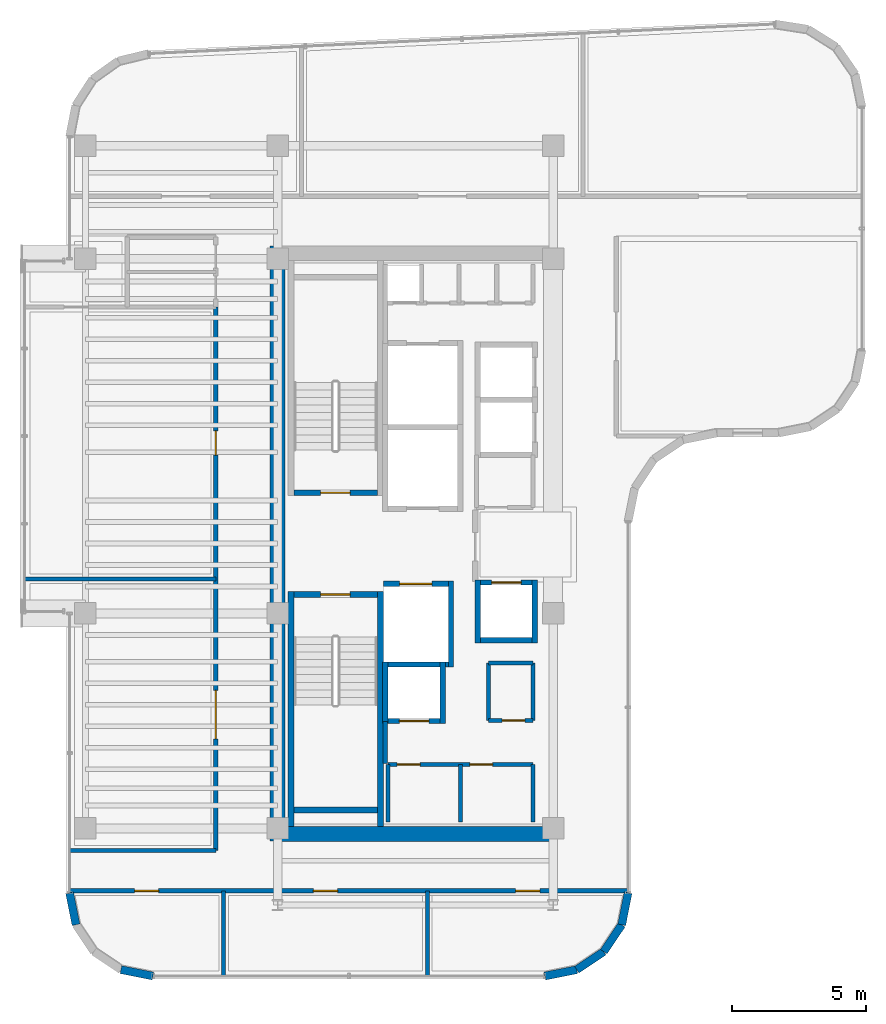
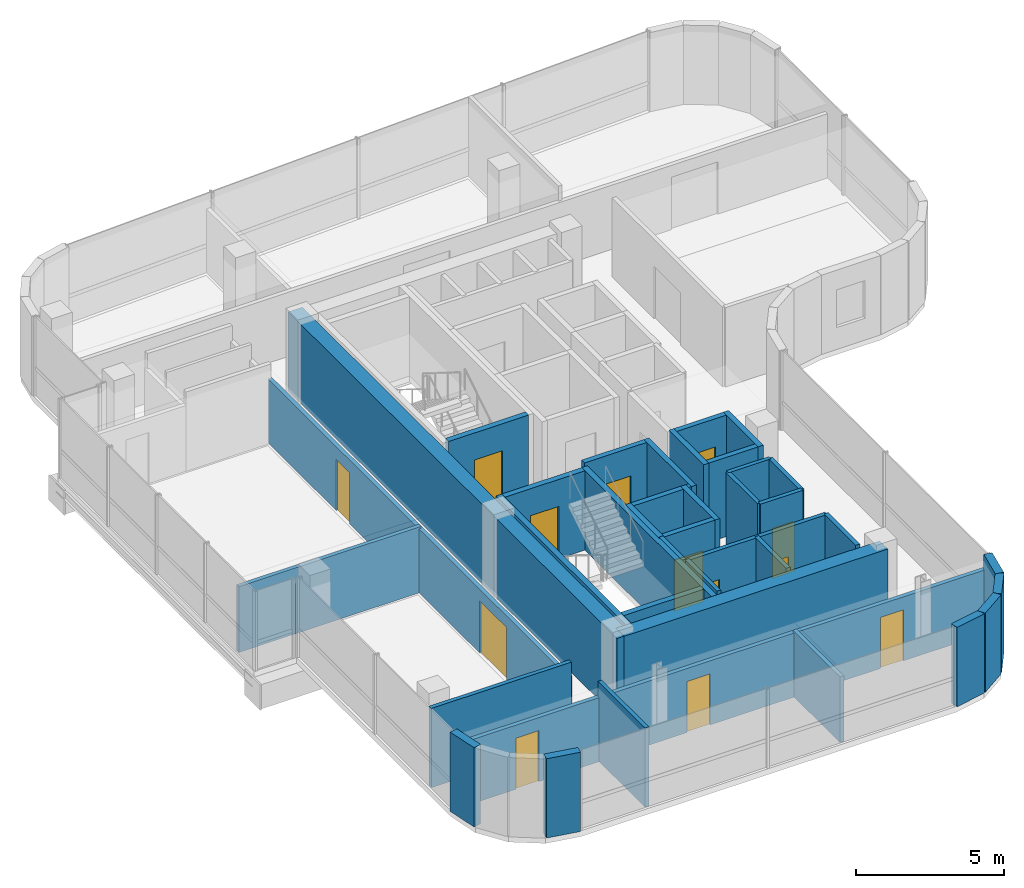
# One storey, part 14 of 18: 38 walls, 13 doors, 13 openings.
"""IFC4 building model written with IfcOpenShell, lengths in metres."""

from ifc_helpers import new_model, si_unit, direction, frame, frame_2d, origin, place, context, subcontext, project, spatial, rectangle, extrude, material, layer, layer_set, type_object, element, fill, save


model = new_model("IFC4")

# Units and contexts
model_context = context("Model", 3, precision=1e-05, world=origin(), true_north=direction((0.0, 1.0)))
body_context = subcontext(model_context, "Body", "Model", "MODEL_VIEW")
ifc_project = project(units=[si_unit("LENGTHUNIT", "METRE"), si_unit("AREAUNIT", "SQUARE_METRE"), si_unit("VOLUMEUNIT", "CUBIC_METRE"), si_unit("PLANEANGLEUNIT", "RADIAN"), si_unit("MASSUNIT", "GRAM", prefix="KILO")], contexts=[model_context])

# Site, building, storey
site_placement = place(None, origin())
site = spatial("IfcSite", under=ifc_project, at=site_placement, CompositionType="ELEMENT")
building_placement = place(site_placement, origin())
building = spatial("IfcBuilding", under=site, at=building_placement, Name="Valdorenza Pilgrim Sanctuary Tower", CompositionType="ELEMENT")
storey_placement = place(building_placement, frame((0.0, 0.0, 273.0)))
storey = spatial("IfcBuildingStorey", under=building, at=storey_placement, Name="L71", CompositionType="ELEMENT", Elevation=273.0)

# Wall
ifc_material_1 = material(Name="Acoustic twin-stud gypsum partition", Category="gypsum")
ifc_layer_1 = layer(ifc_material_1, 0.159912109375, Name="Acoustic twin-stud gypsum partition")
ifc_layer_set_1 = layer_set([ifc_layer_1], Name="Acoustic twin-stud gypsum partition")
wall_type_1 = type_object("IfcWallType", Name="WAL-COR-160", PredefinedType="PARTITIONING", material=ifc_layer_set_1)
wall_1_placement = place(storey_placement, frame((-18.64990234375, -8.179931640625, 0.0), z_axis=(0.0, 0.0, 1.0), x_axis=(0.0, 1.0, 0.0)))
element("IfcWall", 1, at=wall_1_placement, inside=storey, type_object=wall_type_1, Name="L71 Core A South Lift Hall West Wall", PredefinedType="PARTITIONING", context=body_context, shape_type="SweptSolid", body=[
    extrude(rectangle(XDim=1.559814453125, YDim=0.159912109375, at=frame_2d((0.77978515625, 0.0))), origin(), (0.0, 0.0, 1.0), 3.260009765625),
])

# Wall, openings, doors
wall_2_placement = place(storey_placement, frame((-18.550048828125, -8.219970703125, 0.0), z_axis=(0.0, 0.0, 1.0), x_axis=(1.0, 0.0, 0.0)))
wall_2 = element("IfcWall", 2, at=wall_2_placement, inside=storey, type_object=wall_type_1, Name="L71 Freed Shaft 1 North Wall", PredefinedType="PARTITIONING", context=body_context, shape_type="SweptSolid", body=[
    extrude(rectangle(XDim=5.400146484375, YDim=0.159912109375, at=frame_2d((2.7001953125, 0.0))), origin(), (0.0, 0.0, 1.0), 3.260009765625),
])
opening_1_placement = place(wall_2_placement, frame((0.35009765625, 0.0, 0.0)))
opening_1 = element("IfcOpeningElement", 3, at=opening_1_placement, cuts=wall_2, Name="Opening DR-RS1", PredefinedType="OPENING", context=body_context, shape_type="SweptSolid", body=[
    extrude(rectangle(XDim=0.85009765625, YDim=2.050048828125, at=frame_2d((0.425048828125, 1.02490234375))), frame((0.0, 0.0947265625, 0.0), z_axis=(0.0, -1.0, 0.0), x_axis=(1.0, 0.0, 0.0)), (0.0, 0.0, 1.0), 0.189697265625),
])
opening_2_placement = place(wall_2_placement, frame((3.050048828125, 0.0, 0.0)))
opening_2 = element("IfcOpeningElement", 4, at=opening_2_placement, cuts=wall_2, Name="Opening DR-RS1", PredefinedType="OPENING", context=body_context, shape_type="SweptSolid", body=[
    extrude(rectangle(XDim=0.85009765625, YDim=2.050048828125, at=frame_2d((0.425048828125, 1.02490234375))), frame((0.0, 0.0947265625, 0.0), z_axis=(0.0, -1.0, 0.0), x_axis=(1.0, 0.0, 0.0)), (0.0, 0.0, 1.0), 0.189697265625),
])
ifc_material_2 = material(Name="Painted galvanized steel", Category="steel")
door_type_1 = type_object("IfcDoorType", Name="DR-RSR-850", OperationType="NOTDEFINED", PredefinedType="DOOR", material=ifc_material_2)
door_1_placement = place(opening_1_placement, origin())
door_1 = element("IfcDoor", 5, at=door_1_placement, inside=storey, type_object=door_type_1, Name="L71 Linen Store Door", OperationType="SINGLE_SWING_LEFT", OverallHeight=2.050048828125, OverallWidth=0.85009765625, PredefinedType="DOOR", context=body_context, shape_type="SweptSolid", body=[
    extrude(rectangle(XDim=0.85009765625, YDim=2.050048828125, at=frame_2d((0.425048828125, 1.02490234375))), frame((0.0, 0.02490234375, 0.0), z_axis=(0.0, -1.0, 0.0), x_axis=(1.0, 0.0, 0.0)), (0.0, 0.0, 1.0), 0.050048828125),
])
fill(opening_1, door_1)
door_2_placement = place(opening_2_placement, origin())
door_2 = element("IfcDoor", 6, at=door_2_placement, inside=storey, type_object=door_type_1, Name="L71 Cot Store Door", OperationType="SINGLE_SWING_RIGHT", OverallHeight=2.050048828125, OverallWidth=0.85009765625, PredefinedType="DOOR", context=body_context, shape_type="SweptSolid", body=[
    extrude(rectangle(XDim=0.85009765625, YDim=2.050048828125, at=frame_2d((0.425048828125, 1.02490234375))), frame((0.0, 0.02490234375, 0.0), z_axis=(0.0, -1.0, 0.0), x_axis=(1.0, 0.0, 0.0)), (0.0, 0.0, 1.0), 0.050048828125),
])
fill(opening_2, door_2)

# Walls
for number, where, z_axis, x_axis, name in (
    (7, (-13.14990234375, -10.35009765625, 0.0), (0.0, 0.0, 1.0), (0.0, 1.0, 0.0), "L71 Freed Shaft 1 East Wall"),
    (8, (-15.85009765625, -10.35009765625, 0.0), (0.0, 0.0, 1.0), (0.0, 1.0, 0.0), "L71 Freed Shaft 1 Split Wall"),
):
    element("IfcWall", number, at=place(storey_placement, frame(where, z_axis=z_axis, x_axis=x_axis)), inside=storey, type_object=wall_type_1, Name=name, PredefinedType="PARTITIONING", context=body_context, shape_type="SweptSolid", body=[
        extrude(rectangle(XDim=2.130126953125, YDim=0.159912109375, at=frame_2d((1.06494140625, 0.0))), origin(), (0.0, 0.0, 1.0), 3.260009765625),
    ])

# Wall, opening, door
wall_3_placement = place(storey_placement, frame((-14.800048828125, -6.580078125, 0.0), z_axis=(0.0, 0.0, 1.0), x_axis=(1.0, 0.0, 0.0)))
wall_3 = element("IfcWall", 9, at=wall_3_placement, inside=storey, type_object=wall_type_1, Name="L71 Freed Shaft 2 South Wall", PredefinedType="PARTITIONING", context=body_context, shape_type="SweptSolid", body=[
    extrude(rectangle(XDim=1.650146484375, YDim=0.159912109375, at=frame_2d((0.8251953125, 0.0))), origin(), (0.0, 0.0, 1.0), 3.260009765625),
])
opening_3_placement = place(wall_3_placement, frame((0.5, 0.0, 0.0)))
opening_3 = element("IfcOpeningElement", 10, at=opening_3_placement, cuts=wall_3, Name="Opening DR-RS1", PredefinedType="OPENING", context=body_context, shape_type="SweptSolid", body=[
    extrude(rectangle(XDim=0.85009765625, YDim=2.050048828125, at=frame_2d((0.425048828125, 1.02490234375))), frame((0.0, 0.0947265625, 0.0), z_axis=(0.0, -1.0, 0.0), x_axis=(1.0, 0.0, 0.0)), (0.0, 0.0, 1.0), 0.189697265625),
])
door_3_placement = place(opening_3_placement, origin())
door_3 = element("IfcDoor", 11, at=door_3_placement, inside=storey, type_object=door_type_1, Name="L71 Guest Tea Pantry Door", OperationType="SINGLE_SWING_LEFT", OverallHeight=2.050048828125, OverallWidth=0.85009765625, PredefinedType="DOOR", context=body_context, shape_type="SweptSolid", body=[
    extrude(rectangle(XDim=0.85009765625, YDim=2.050048828125, at=frame_2d((0.425048828125, 1.02490234375))), frame((0.0, 0.02490234375, 0.0), z_axis=(0.0, -1.0, 0.0), x_axis=(1.0, 0.0, 0.0)), (0.0, 0.0, 1.0), 0.050048828125),
])
fill(opening_3, door_3)

# Wall
wall_4_placement = place(storey_placement, frame((-13.14990234375, -6.580078125, 0.0), z_axis=(0.0, 0.0, 1.0), x_axis=(0.0, 1.0, 0.0)))
element("IfcWall", 12, at=wall_4_placement, inside=storey, type_object=wall_type_1, Name="L71 Freed Shaft 2 East Wall", PredefinedType="PARTITIONING", context=body_context, shape_type="SweptSolid", body=[
    extrude(rectangle(XDim=2.130126953125, YDim=0.159912109375, at=frame_2d((1.06494140625, 0.0))), origin(), (0.0, 0.0, 1.0), 3.260009765625),
])

# Wall, openings, doors
wall_5_placement = place(storey_placement, frame((-24.949951171875, -11.419921875, 0.0), z_axis=(0.0, 0.0, 1.0), x_axis=(0.0, 1.0, 0.0)))
wall_5 = element("IfcWall", 13, at=wall_5_placement, inside=storey, type_object=wall_type_1, Name="L71 West Wing Corridor Wall", PredefinedType="PARTITIONING", context=body_context, shape_type="SweptSolid", body=[
    extrude(rectangle(XDim=20.219970703125, YDim=0.159912109375, at=frame_2d((10.10986328125, 0.0))), origin(), (0.0, 0.0, 1.0), 2.623046875),
])
opening_4_placement = place(wall_5_placement, frame((4.155029296875, 0.0, 0.0)))
opening_4 = element("IfcOpeningElement", 14, at=opening_4_placement, cuts=wall_5, Name="Opening DR-HL1", PredefinedType="OPENING", context=body_context, shape_type="SweptSolid", body=[
    extrude(rectangle(XDim=1.800048828125, YDim=2.14990234375, at=frame_2d((0.89990234375, 1.074951171875))), frame((0.0, 0.0947265625, 0.0), z_axis=(0.0, -1.0, 0.0), x_axis=(1.0, 0.0, 0.0)), (0.0, 0.0, 1.0), 0.189697265625),
])
opening_5_placement = place(wall_5_placement, frame((14.715087890625, 0.0, 0.0)))
opening_5 = element("IfcOpeningElement", 15, at=opening_5_placement, cuts=wall_5, Name="Opening DR-RM1", PredefinedType="OPENING", context=body_context, shape_type="SweptSolid", body=[
    extrude(rectangle(XDim=0.89990234375, YDim=2.10009765625, at=frame_2d((0.449951171875, 1.050048828125))), frame((0.0, 0.0947265625, 0.0), z_axis=(0.0, -1.0, 0.0), x_axis=(1.0, 0.0, 0.0)), (0.0, 0.0, 1.0), 0.189697265625),
])
ifc_material_3 = material(Name="Acoustic oak and vision-glass double door", Category="glass")
door_type_2 = type_object("IfcDoorType", Name="DR-HALL-1800", OperationType="NOTDEFINED", PredefinedType="DOOR", material=ifc_material_3)
door_4_placement = place(opening_4_placement, origin())
door_4 = element("IfcDoor", 16, at=door_4_placement, inside=storey, type_object=door_type_2, Name="L71 Sacred Art Exhibition Gallery L71-W1 Door", OperationType="DOUBLE_DOOR_SINGLE_SWING", OverallHeight=2.14990234375, OverallWidth=1.800048828125, PredefinedType="DOOR", context=body_context, shape_type="SweptSolid", body=[
    extrude(rectangle(XDim=1.800048828125, YDim=2.14990234375, at=frame_2d((0.89990234375, 1.074951171875))), frame((0.0, 0.02490234375, 0.0), z_axis=(0.0, -1.0, 0.0), x_axis=(1.0, 0.0, 0.0)), (0.0, 0.0, 1.0), 0.050048828125),
])
fill(opening_4, door_4)
ifc_material_4 = material(Name="Solid-core European oak timber", Category="wood")
door_type_3 = type_object("IfcDoorType", Name="DR-ROOM-900", OperationType="NOTDEFINED", PredefinedType="DOOR", material=ifc_material_4)
door_5_placement = place(opening_5_placement, frame((0.89990234375, 0.0, 0.0), z_axis=(0.0, 0.0, 1.0), x_axis=(-1.0, 0.0, 0.0)))
door_5 = element("IfcDoor", 17, at=door_5_placement, inside=storey, type_object=door_type_3, Name="L71 Sacred Manuscript Archive L71-W2 Door", OperationType="SINGLE_SWING_LEFT", OverallHeight=2.10009765625, OverallWidth=0.89990234375, PredefinedType="DOOR", context=body_context, shape_type="SweptSolid", body=[
    extrude(rectangle(XDim=0.89990234375, YDim=2.10009765625, at=frame_2d((0.449951171875, 1.050048828125))), frame((0.0, 0.02490234375, 0.0), z_axis=(0.0, -1.0, 0.0), x_axis=(1.0, 0.0, 0.0)), (0.0, 0.0, 1.0), 0.050048828125),
])
fill(opening_5, door_5)

wall_6_placement = place(storey_placement, frame((-30.389892578125, -12.919921875, 0.0), z_axis=(0.0, 0.0, 1.0), x_axis=(1.0, 0.0, 0.0)))
wall_6 = element("IfcWall", 18, at=wall_6_placement, inside=storey, type_object=wall_type_1, Name="L71 South Wing Corridor Wall", PredefinedType="PARTITIONING", context=body_context, shape_type="SweptSolid", body=[
    extrude(rectangle(XDim=20.77978515625, YDim=0.159912109375, at=frame_2d((10.389892578125, 0.0))), origin(), (0.0, 0.0, 1.0), 2.634033203125),
])
opening_6_placement = place(wall_6_placement, frame((2.4150390625, 0.0, 0.0)))
opening_6 = element("IfcOpeningElement", 19, at=opening_6_placement, cuts=wall_6, Name="Opening DR-RM1", PredefinedType="OPENING", context=body_context, shape_type="SweptSolid", body=[
    extrude(rectangle(XDim=0.89990234375, YDim=2.10009765625, at=frame_2d((0.449951171875, 1.050048828125))), frame((0.0, 0.0947265625, 0.0), z_axis=(0.0, -1.0, 0.0), x_axis=(1.0, 0.0, 0.0)), (0.0, 0.0, 1.0), 0.189697265625),
])
opening_7_placement = place(wall_6_placement, frame((9.070068359375, 0.0, 0.0)))
opening_7 = element("IfcOpeningElement", 20, at=opening_7_placement, cuts=wall_6, Name="Opening DR-RM1", PredefinedType="OPENING", context=body_context, shape_type="SweptSolid", body=[
    extrude(rectangle(XDim=0.89990234375, YDim=2.10009765625, at=frame_2d((0.449951171875, 1.050048828125))), frame((0.0, 0.0947265625, 0.0), z_axis=(0.0, -1.0, 0.0), x_axis=(1.0, 0.0, 0.0)), (0.0, 0.0, 1.0), 0.189697265625),
])
opening_8_placement = place(wall_6_placement, frame((16.594970703125, 0.0, 0.0)))
opening_8 = element("IfcOpeningElement", 21, at=opening_8_placement, cuts=wall_6, Name="Opening DR-RM1", PredefinedType="OPENING", context=body_context, shape_type="SweptSolid", body=[
    extrude(rectangle(XDim=0.89990234375, YDim=2.10009765625, at=frame_2d((0.449951171875, 1.050048828125))), frame((0.0, 0.0947265625, 0.0), z_axis=(0.0, -1.0, 0.0), x_axis=(1.0, 0.0, 0.0)), (0.0, 0.0, 1.0), 0.189697265625),
])
door_6_placement = place(opening_6_placement, origin())
door_6 = element("IfcDoor", 22, at=door_6_placement, inside=storey, type_object=door_type_3, Name="L71 Pilgrim Scholar Office L71-S1 Door", OperationType="SINGLE_SWING_RIGHT", OverallHeight=2.10009765625, OverallWidth=0.89990234375, PredefinedType="DOOR", context=body_context, shape_type="SweptSolid", body=[
    extrude(rectangle(XDim=0.89990234375, YDim=2.10009765625, at=frame_2d((0.449951171875, 1.050048828125))), frame((0.0, 0.02490234375, 0.0), z_axis=(0.0, -1.0, 0.0), x_axis=(1.0, 0.0, 0.0)), (0.0, 0.0, 1.0), 0.050048828125),
])
fill(opening_6, door_6)
door_7_placement = place(opening_7_placement, frame((0.89990234375, 0.0, 0.0), z_axis=(0.0, 0.0, 1.0), x_axis=(-1.0, 0.0, 0.0)))
door_7 = element("IfcDoor", 23, at=door_7_placement, inside=storey, type_object=door_type_3, Name="L71 Pilgrim Scholar Office L71-S2 Door", OperationType="SINGLE_SWING_LEFT", OverallHeight=2.10009765625, OverallWidth=0.89990234375, PredefinedType="DOOR", context=body_context, shape_type="SweptSolid", body=[
    extrude(rectangle(XDim=0.89990234375, YDim=2.10009765625, at=frame_2d((0.449951171875, 1.050048828125))), frame((0.0, 0.02490234375, 0.0), z_axis=(0.0, -1.0, 0.0), x_axis=(1.0, 0.0, 0.0)), (0.0, 0.0, 1.0), 0.050048828125),
])
fill(opening_7, door_7)
door_8_placement = place(opening_8_placement, origin())
door_8 = element("IfcDoor", 24, at=door_8_placement, inside=storey, type_object=door_type_3, Name="L71 Pilgrim Scholar Office L71-S3 Door", OperationType="SINGLE_SWING_RIGHT", OverallHeight=2.10009765625, OverallWidth=0.89990234375, PredefinedType="DOOR", context=body_context, shape_type="SweptSolid", body=[
    extrude(rectangle(XDim=0.89990234375, YDim=2.10009765625, at=frame_2d((0.449951171875, 1.050048828125))), frame((0.0, 0.02490234375, 0.0), z_axis=(0.0, -1.0, 0.0), x_axis=(1.0, 0.0, 0.0)), (0.0, 0.0, 1.0), 0.050048828125),
])
fill(opening_8, door_8)

# Walls
wall_7_placement = place(storey_placement, frame((-30.389892578125, -11.419921875, 0.0), z_axis=(0.0, 0.0, 1.0), x_axis=(1.0, 0.0, 0.0)))
element("IfcWall", 25, at=wall_7_placement, inside=storey, type_object=wall_type_1, Name="L71 South-West Corridor North Wall", PredefinedType="PARTITIONING", context=body_context, shape_type="SweptSolid", body=[
    extrude(rectangle(XDim=5.43994140625, YDim=0.159912109375, at=frame_2d((2.719970703125, 0.0))), origin(), (0.0, 0.0, 1.0), 3.260009765625),
])
ifc_material_5 = material(Name="Concrete C50/60", Category="concrete")
ifc_layer_2 = layer(ifc_material_5, 0.550048828125, Name="Concrete C50/60")
ifc_layer_set_2 = layer_set([ifc_layer_2], Name="Concrete C50/60")
wall_type_2 = type_object("IfcWallType", Name="WAL-COR-550", PredefinedType="SHEAR", material=ifc_layer_set_2)
wall_8_placement = place(storey_placement, frame((-22.64990234375, -11.074951171875, 0.0), z_axis=(0.0, 0.0, 1.0), x_axis=(0.0, 1.0, 0.0)))
element("IfcWall", 26, at=wall_8_placement, inside=storey, type_object=wall_type_2, Name="L71 Split Core A Shear Wall W", PredefinedType="SHEAR", context=body_context, shape_type="SweptSolid", body=[
    extrude(rectangle(XDim=22.14990234375, YDim=0.550048828125, at=frame_2d((11.074951171875, 0.0))), origin(), (0.0, 0.0, 1.0), 3.260009765625),
])
wall_9_placement = place(storey_placement, frame((-22.64990234375, -10.800048828125, 0.0), z_axis=(0.0, 0.0, 1.0), x_axis=(1.0, 0.0, 0.0)))
element("IfcWall", 27, at=wall_9_placement, inside=storey, type_object=wall_type_2, Name="L71 Split Core A Shear Wall S", PredefinedType="SHEAR", context=body_context, shape_type="SweptSolid", body=[
    extrude(rectangle(XDim=10.25, YDim=0.550048828125, at=frame_2d((5.125, 0.0))), origin(), (0.0, 0.0, 1.0), 3.260009765625),
])
ifc_material_6 = material(Name="Honed travertine limestone", Category="masonry")
ifc_layer_3 = layer(ifc_material_6, 0.300048828125, Name="Honed travertine limestone")
ifc_layer_set_3 = layer_set([ifc_layer_3], Name="Honed travertine limestone")
wall_type_3 = type_object("IfcWallType", Name="WAL-EXT-300", PredefinedType="SOLIDWALL", material=ifc_layer_set_3)
wall_10_placement = place(storey_placement, frame((-9.610107421875, -12.9892578125, 0.0), z_axis=(0.0, 0.0, 1.0), x_axis=(-0.194996050505, -0.980804027463, 0.0)))
element("IfcWall", 28, at=wall_10_placement, inside=storey, type_object=wall_type_3, Name="L71 Rounded Wind-Corner Stone Pier 22", PredefinedType="SOLIDWALL", context=body_context, shape_type="SweptSolid", body=[
    extrude(rectangle(XDim=1.2158203125, YDim=0.300048828125, at=frame_2d((0.60791015625, 0.0))), origin(), (0.0, 0.0, 1.0), 3.260009765625),
])
for number, where, z_axis, x_axis, name in (
    (29, (-9.84716796875, -14.181640625, 0.0), (0.0, 0.0, 1.0), (-0.555635100982, -0.831426265255, 0.0), "L71 Rounded Wind-Corner Stone Pier 23"),
    (30, (-10.5166015625, -15.183349609375, 0.0), (0.0, 0.0, 1.0), (-0.831426265255, -0.555635100982, 0.0), "L71 Rounded Wind-Corner Stone Pier 24"),
):
    element("IfcWall", number, at=place(storey_placement, frame(where, z_axis=z_axis, x_axis=x_axis)), inside=storey, type_object=wall_type_3, Name=name, PredefinedType="SOLIDWALL", context=body_context, shape_type="SweptSolid", body=[
        extrude(rectangle(XDim=1.204833984375, YDim=0.300048828125, at=frame_2d((0.6025390625, 0.0))), origin(), (0.0, 0.0, 1.0), 3.260009765625),
    ])
for number, where, z_axis, x_axis, name in (
    (31, (-11.518310546875, -15.852783203125, 0.0), (0.0, 0.0, 1.0), (-0.980765602568, -0.195189223115, 0.0), "L71 Rounded Wind-Corner Stone Pier 25"),
    (32, (-27.289306640625, -16.090087890625, 0.0), (0.0, 0.0, 1.0), (-0.980765602568, 0.195189223115, 0.0), "L71 Rounded Wind-Corner Stone Pier 27"),
    (33, (-30.15283203125, -14.181640625, 0.0), (0.0, 0.0, 1.0), (-0.194996050505, 0.980804027463, 0.0), "L71 Rounded Wind-Corner Stone Pier 30"),
):
    element("IfcWall", number, at=place(storey_placement, frame(where, z_axis=z_axis, x_axis=x_axis)), inside=storey, type_object=wall_type_3, Name=name, PredefinedType="SOLIDWALL", context=body_context, shape_type="SweptSolid", body=[
        extrude(rectangle(XDim=1.2158203125, YDim=0.300048828125, at=frame_2d((0.60791015625, 0.0))), origin(), (0.0, 0.0, 1.0), 3.260009765625),
    ])
ifc_material_7 = material(Name="Autoclaved aerated concrete blockwork", Category="masonry")
ifc_layer_4 = layer(ifc_material_7, 0.199951171875, Name="Autoclaved aerated concrete blockwork")
ifc_layer_set_4 = layer_set([ifc_layer_4], Name="Autoclaved aerated concrete blockwork")
wall_type_4 = type_object("IfcWallType", Name="WAL-SHF-200", PredefinedType="MOVABLE", material=ifc_layer_set_4)
wall_11_placement = place(storey_placement, frame((-16.199951171875, -4.60009765625, 0.0), z_axis=(0.0, 0.0, 1.0), x_axis=(0.0, 1.0, 0.0)))
element("IfcWall", 34, at=wall_11_placement, inside=storey, type_object=wall_type_4, Name="L71 Lift FFL-02 Hoistway Wall East", PredefinedType="MOVABLE", context=body_context, shape_type="SweptSolid", body=[
    extrude(rectangle(XDim=3.2001953125, YDim=0.199951171875, at=frame_2d((1.60009765625, 0.0))), origin(), (0.0, 0.0, 1.0), 3.260009765625),
])
wall_12_placement = place(storey_placement, frame((-18.719970703125, -4.5, 0.0), z_axis=(0.0, 0.0, 1.0), x_axis=(1.0, 0.0, 0.0)))
element("IfcWall", 35, at=wall_12_placement, inside=storey, type_object=wall_type_4, Name="L71 Lift FFL-02 Hoistway Wall South", PredefinedType="MOVABLE", context=body_context, shape_type="SweptSolid", body=[
    extrude(rectangle(XDim=2.419921875, YDim=0.199951171875, at=frame_2d((1.2099609375, 0.0))), origin(), (0.0, 0.0, 1.0), 3.260009765625),
])

# Wall, opening, door
wall_13_placement = place(storey_placement, frame((-18.719970703125, -1.5, 0.0), z_axis=(0.0, 0.0, 1.0), x_axis=(1.0, 0.0, 0.0)))
wall_13 = element("IfcWall", 36, at=wall_13_placement, inside=storey, type_object=wall_type_4, Name="L71 Lift FFL-02 Hoistway Wall North", PredefinedType="MOVABLE", context=body_context, shape_type="SweptSolid", body=[
    extrude(rectangle(XDim=2.419921875, YDim=0.199951171875, at=frame_2d((1.2099609375, 0.0))), origin(), (0.0, 0.0, 1.0), 3.260009765625),
])
opening_9_placement = place(wall_13_placement, frame((0.610107421875, 0.0, 0.0)))
opening_9 = element("IfcOpeningElement", 37, at=opening_9_placement, cuts=wall_13, Name="Opening LD-02", PredefinedType="OPENING", context=body_context, shape_type="SweptSolid", body=[
    extrude(rectangle(XDim=1.199951171875, YDim=2.10009765625, at=frame_2d((0.60009765625, 1.050048828125))), frame((0.0, 0.11474609375, 0.0), z_axis=(0.0, -1.0, 0.0), x_axis=(1.0, 0.0, 0.0)), (0.0, 0.0, 1.0), 0.229736328125),
])
ifc_material_8 = material(Name="Brushed stainless steel Grade 316", Category="steel")
door_type_4 = type_object("IfcDoorType", Name="DR-LFT-1200", OperationType="DOUBLE_DOOR_SLIDING", PredefinedType="DOOR", material=ifc_material_8)
door_9_placement = place(opening_9_placement, origin())
door_9 = element("IfcDoor", 38, at=door_9_placement, inside=storey, type_object=door_type_4, Name="L71 Lift FFL-02 Sliding Landing Door", OperationType="DOUBLE_DOOR_SLIDING", OverallHeight=2.10009765625, OverallWidth=1.199951171875, PredefinedType="DOOR", context=body_context, shape_type="SweptSolid", body=[
    extrude(rectangle(XDim=1.199951171875, YDim=2.10009765625, at=frame_2d((0.60009765625, 1.050048828125))), frame((0.0, 0.02490234375, 0.0), z_axis=(0.0, -1.0, 0.0), x_axis=(1.0, 0.0, 0.0)), (0.0, 0.0, 1.0), 0.050048828125),
])
fill(opening_9, door_9)

# Walls
for number, where, z_axis, x_axis, name in (
    (39, (-18.64990234375, -6.699951171875, 0.0), (0.0, 0.0, 1.0), (0.0, 1.0, 0.0), "L71 Lift PL-11 Hoistway Wall West"),
    (40, (-16.5, -6.699951171875, 0.0), (0.0, 0.0, 1.0), (0.0, 1.0, 0.0), "L71 Lift PL-11 Hoistway Wall East"),
):
    element("IfcWall", number, at=place(storey_placement, frame(where, z_axis=z_axis, x_axis=x_axis)), inside=storey, type_object=wall_type_4, Name=name, PredefinedType="MOVABLE", context=body_context, shape_type="SweptSolid", body=[
        extrude(rectangle(XDim=2.300048828125, YDim=0.199951171875, at=frame_2d((1.14990234375, 0.0))), origin(), (0.0, 0.0, 1.0), 3.260009765625),
    ])

# Wall, opening, door
wall_14_placement = place(storey_placement, frame((-18.550048828125, -6.60009765625, 0.0), z_axis=(0.0, 0.0, 1.0), x_axis=(1.0, 0.0, 0.0)))
wall_14 = element("IfcWall", 41, at=wall_14_placement, inside=storey, type_object=wall_type_4, Name="L71 Lift PL-11 Hoistway Wall South", PredefinedType="MOVABLE", context=body_context, shape_type="SweptSolid", body=[
    extrude(rectangle(XDim=1.949951171875, YDim=0.199951171875, at=frame_2d((0.97509765625, 0.0))), origin(), (0.0, 0.0, 1.0), 3.260009765625),
])
opening_10_placement = place(wall_14_placement, frame((0.425048828125, 0.0, 0.0)))
opening_10 = element("IfcOpeningElement", 42, at=opening_10_placement, cuts=wall_14, Name="Opening LD-01", PredefinedType="OPENING", context=body_context, shape_type="SweptSolid", body=[
    extrude(rectangle(XDim=1.10009765625, YDim=2.10009765625, at=frame_2d((0.550048828125, 1.050048828125))), frame((0.0, 0.11474609375, 0.0), z_axis=(0.0, -1.0, 0.0), x_axis=(1.0, 0.0, 0.0)), (0.0, 0.0, 1.0), 0.229736328125),
])
door_type_5 = type_object("IfcDoorType", Name="DR-LFT-1100", OperationType="DOUBLE_DOOR_SLIDING", PredefinedType="DOOR", material=ifc_material_8)
door_10_placement = place(opening_10_placement, origin())
door_10 = element("IfcDoor", 43, at=door_10_placement, inside=storey, type_object=door_type_5, Name="L71 Lift PL-11 Sliding Landing Door", OperationType="DOUBLE_DOOR_SLIDING", OverallHeight=2.10009765625, OverallWidth=1.10009765625, PredefinedType="DOOR", context=body_context, shape_type="SweptSolid", body=[
    extrude(rectangle(XDim=1.10009765625, YDim=2.10009765625, at=frame_2d((0.550048828125, 1.050048828125))), frame((0.0, 0.02490234375, 0.0), z_axis=(0.0, -1.0, 0.0), x_axis=(1.0, 0.0, 0.0)), (0.0, 0.0, 1.0), 0.050048828125),
])
fill(opening_10, door_10)

# Walls
for number, where, z_axis, x_axis, name in (
    (44, (-15.199951171875, -3.699951171875, 0.0), (0.0, 0.0, 1.0), (0.0, 1.0, 0.0), "L71 Lift PL-12 Hoistway Wall West"),
    (45, (-13.080078125, -3.699951171875, 0.0), (0.0, 0.0, 1.0), (0.0, 1.0, 0.0), "L71 Lift PL-12 Hoistway Wall East"),
):
    element("IfcWall", number, at=place(storey_placement, frame(where, z_axis=z_axis, x_axis=x_axis)), inside=storey, type_object=wall_type_4, Name=name, PredefinedType="MOVABLE", context=body_context, shape_type="SweptSolid", body=[
        extrude(rectangle(XDim=2.349853515625, YDim=0.199951171875, at=frame_2d((1.1748046875, 0.0))), origin(), (0.0, 0.0, 1.0), 3.260009765625),
    ])
wall_15_placement = place(storey_placement, frame((-15.10009765625, -3.60009765625, 0.0), z_axis=(0.0, 0.0, 1.0), x_axis=(1.0, 0.0, 0.0)))
element("IfcWall", 46, at=wall_15_placement, inside=storey, type_object=wall_type_4, Name="L71 Lift PL-12 Hoistway Wall South", PredefinedType="MOVABLE", context=body_context, shape_type="SweptSolid", body=[
    extrude(rectangle(XDim=1.920166015625, YDim=0.199951171875, at=frame_2d((0.9599609375, 0.0))), origin(), (0.0, 0.0, 1.0), 3.260009765625),
])

# Wall, opening, door
wall_16_placement = place(storey_placement, frame((-15.10009765625, -1.449951171875, 0.0), z_axis=(0.0, 0.0, 1.0), x_axis=(1.0, 0.0, 0.0)))
wall_16 = element("IfcWall", 47, at=wall_16_placement, inside=storey, type_object=wall_type_4, Name="L71 Lift PL-12 Hoistway Wall North", PredefinedType="MOVABLE", context=body_context, shape_type="SweptSolid", body=[
    extrude(rectangle(XDim=1.920166015625, YDim=0.199951171875, at=frame_2d((0.9599609375, 0.0))), origin(), (0.0, 0.0, 1.0), 3.260009765625),
])
opening_11_placement = place(wall_16_placement, frame((0.409912109375, 0.0, 0.0)))
opening_11 = element("IfcOpeningElement", 48, at=opening_11_placement, cuts=wall_16, Name="Opening LD-01", PredefinedType="OPENING", context=body_context, shape_type="SweptSolid", body=[
    extrude(rectangle(XDim=1.10009765625, YDim=2.10009765625, at=frame_2d((0.550048828125, 1.050048828125))), frame((0.0, 0.11474609375, 0.0), z_axis=(0.0, -1.0, 0.0), x_axis=(1.0, 0.0, 0.0)), (0.0, 0.0, 1.0), 0.229736328125),
])
door_11_placement = place(opening_11_placement, origin())
door_11 = element("IfcDoor", 49, at=door_11_placement, inside=storey, type_object=door_type_5, Name="L71 Lift PL-12 Sliding Landing Door", OperationType="DOUBLE_DOOR_SLIDING", OverallHeight=2.10009765625, OverallWidth=1.10009765625, PredefinedType="DOOR", context=body_context, shape_type="SweptSolid", body=[
    extrude(rectangle(XDim=1.10009765625, YDim=2.10009765625, at=frame_2d((0.550048828125, 1.050048828125))), frame((0.0, 0.02490234375, 0.0), z_axis=(0.0, -1.0, 0.0), x_axis=(1.0, 0.0, 0.0)), (0.0, 0.0, 1.0), 0.050048828125),
])
fill(opening_11, door_11)

ifc_material_9 = material(Name="Concrete C40/50", Category="concrete")
ifc_layer_5 = layer(ifc_material_9, 0.219970703125, Name="Concrete C40/50")
ifc_layer_set_5 = layer_set([ifc_layer_5], Name="Concrete C40/50")
wall_type_5 = type_object("IfcWallType", Name="WAL-STR-SHF-220", PredefinedType="SHEAR", material=ifc_layer_set_5)
wall_17_placement = place(storey_placement, frame((-22.050048828125, 1.889892578125, 0.0), z_axis=(0.0, 0.0, 1.0), x_axis=(1.0, 0.0, 0.0)))
wall_17 = element("IfcWall", 50, at=wall_17_placement, inside=storey, type_object=wall_type_5, Name="L71 ST-A1 Structural Stairwell Wall S", PredefinedType="SHEAR", context=body_context, shape_type="SweptSolid", body=[
    extrude(rectangle(XDim=3.110107421875, YDim=0.219970703125, at=frame_2d((1.55517578125, 0.0))), origin(), (0.0, 0.0, 1.0), 3.260009765625),
])
opening_12_placement = place(wall_17_placement, frame((1.0, 0.0, 0.0)))
opening_12 = element("IfcOpeningElement", 51, at=opening_12_placement, cuts=wall_17, Name="Opening DR-ST1", PredefinedType="OPENING", context=body_context, shape_type="SweptSolid", body=[
    extrude(rectangle(XDim=1.10009765625, YDim=2.14990234375, at=frame_2d((0.550048828125, 1.074951171875))), frame((0.0, 0.125, 0.0), z_axis=(0.0, -1.0, 0.0), x_axis=(1.0, 0.0, 0.0)), (0.0, 0.0, 1.0), 0.249755859375),
])
door_type_6 = type_object("IfcDoorType", Name="DR-STAIR-1100", OperationType="NOTDEFINED", PredefinedType="DOOR", material=ifc_material_2)
door_12_placement = place(opening_12_placement, frame((1.10009765625, 0.0, 0.0), z_axis=(0.0, 0.0, 1.0), x_axis=(-1.0, 0.0, 0.0)))
door_12 = element("IfcDoor", 52, at=door_12_placement, inside=storey, type_object=door_type_6, Name="L71 Exit Stair ST-A1 Door", OperationType="SINGLE_SWING_LEFT", OverallHeight=2.14990234375, OverallWidth=1.10009765625, PredefinedType="DOOR", context=body_context, shape_type="SweptSolid", body=[
    extrude(rectangle(XDim=1.10009765625, YDim=2.14990234375, at=frame_2d((0.550048828125, 1.074951171875))), frame((0.0, 0.02490234375, 0.0), z_axis=(0.0, -1.0, 0.0), x_axis=(1.0, 0.0, 0.0)), (0.0, 0.0, 1.0), 0.050048828125),
])
fill(opening_12, door_12)

# Walls
for number, where, z_axis, x_axis, name in (
    (53, (-22.159912109375, -10.52490234375, 0.0), (0.0, 0.0, 1.0), (0.0, 1.0, 0.0), "L71 ST-A2 Structural Stairwell Wall W"),
    (54, (-18.830078125, -10.52490234375, 0.0), (0.0, 0.0, 1.0), (0.0, 1.0, 0.0), "L71 ST-A2 Structural Stairwell Wall E"),
):
    element("IfcWall", number, at=place(storey_placement, frame(where, z_axis=z_axis, x_axis=x_axis)), inside=storey, type_object=wall_type_5, Name=name, PredefinedType="SHEAR", context=body_context, shape_type="SweptSolid", body=[
        extrude(rectangle(XDim=8.744873046875, YDim=0.219970703125, at=frame_2d((4.37255859375, 0.0))), origin(), (0.0, 0.0, 1.0), 3.260009765625),
    ])
wall_18_placement = place(storey_placement, frame((-22.050048828125, -9.909912109375, 0.0), z_axis=(0.0, 0.0, 1.0), x_axis=(1.0, 0.0, 0.0)))
element("IfcWall", 55, at=wall_18_placement, inside=storey, type_object=wall_type_5, Name="L71 ST-A2 Structural Stairwell Wall S", PredefinedType="SHEAR", context=body_context, shape_type="SweptSolid", body=[
    extrude(rectangle(XDim=3.110107421875, YDim=0.219970703125, at=frame_2d((1.55517578125, 0.0))), origin(), (0.0, 0.0, 1.0), 3.260009765625),
])

# Wall, opening, door
wall_19_placement = place(storey_placement, frame((-22.050048828125, -1.889892578125, 0.0), z_axis=(0.0, 0.0, 1.0), x_axis=(1.0, 0.0, 0.0)))
wall_19 = element("IfcWall", 56, at=wall_19_placement, inside=storey, type_object=wall_type_5, Name="L71 ST-A2 Structural Stairwell Wall N", PredefinedType="SHEAR", context=body_context, shape_type="SweptSolid", body=[
    extrude(rectangle(XDim=3.110107421875, YDim=0.219970703125, at=frame_2d((1.55517578125, 0.0))), origin(), (0.0, 0.0, 1.0), 3.260009765625),
])
opening_13_placement = place(wall_19_placement, frame((1.0, 0.0, 0.0)))
opening_13 = element("IfcOpeningElement", 57, at=opening_13_placement, cuts=wall_19, Name="Opening DR-ST1", PredefinedType="OPENING", context=body_context, shape_type="SweptSolid", body=[
    extrude(rectangle(XDim=1.10009765625, YDim=2.14990234375, at=frame_2d((0.550048828125, 1.074951171875))), frame((0.0, 0.125, 0.0), z_axis=(0.0, -1.0, 0.0), x_axis=(1.0, 0.0, 0.0)), (0.0, 0.0, 1.0), 0.249755859375),
])
door_13_placement = place(opening_13_placement, origin())
door_13 = element("IfcDoor", 58, at=door_13_placement, inside=storey, type_object=door_type_6, Name="L71 Exit Stair ST-A2 Door", OperationType="SINGLE_SWING_RIGHT", OverallHeight=2.14990234375, OverallWidth=1.10009765625, PredefinedType="DOOR", context=body_context, shape_type="SweptSolid", body=[
    extrude(rectangle(XDim=1.10009765625, YDim=2.14990234375, at=frame_2d((0.550048828125, 1.074951171875))), frame((0.0, 0.02490234375, 0.0), z_axis=(0.0, -1.0, 0.0), x_axis=(1.0, 0.0, 0.0)), (0.0, 0.0, 1.0), 0.050048828125),
])
fill(opening_13, door_13)

# Walls
ifc_layer_6 = layer(ifc_material_1, 0.14990234375, Name="Acoustic twin-stud gypsum partition")
ifc_layer_set_6 = layer_set([ifc_layer_6], Name="Acoustic twin-stud gypsum partition")
wall_type_6 = type_object("IfcWallType", Name="WAL-UNT-150", PredefinedType="PARTITIONING", material=ifc_layer_set_6)
for number, where, z_axis, x_axis, name in (
    (59, (-18.550048828125, -10.35009765625, 0.0), (0.0, 0.0, 1.0), (0.0, 1.0, 0.0), "L71 Freed Shaft 1 West Wall"),
    (60, (-14.800048828125, -6.580078125, 0.0), (0.0, 0.0, 1.0), (0.0, 1.0, 0.0), "L71 Freed Shaft 2 West Wall"),
):
    element("IfcWall", number, at=place(storey_placement, frame(where, z_axis=z_axis, x_axis=x_axis)), inside=storey, type_object=wall_type_6, Name=name, PredefinedType="PARTITIONING", context=body_context, shape_type="SweptSolid", body=[
        extrude(rectangle(XDim=2.130126953125, YDim=0.14990234375, at=frame_2d((1.06494140625, 0.0))), origin(), (0.0, 0.0, 1.0), 3.260009765625),
    ])
wall_20_placement = place(storey_placement, frame((-14.800048828125, -4.449951171875, 0.0), z_axis=(0.0, 0.0, 1.0), x_axis=(1.0, 0.0, 0.0)))
element("IfcWall", 61, at=wall_20_placement, inside=storey, type_object=wall_type_6, Name="L71 Freed Shaft 2 North Wall", PredefinedType="PARTITIONING", context=body_context, shape_type="SweptSolid", body=[
    extrude(rectangle(XDim=1.650146484375, YDim=0.14990234375, at=frame_2d((0.8251953125, 0.0))), origin(), (0.0, 0.0, 1.0), 3.260009765625),
])
wall_21_placement = place(storey_placement, frame((-32.0400390625, -1.31005859375, 0.0), z_axis=(0.0, 0.0, 1.0), x_axis=(1.0, 0.0, 0.0)))
element("IfcWall", 62, at=wall_21_placement, inside=storey, type_object=wall_type_6, Name="L71 Sacred Manuscript Archive L71-W2 Demising Wall", PredefinedType="PARTITIONING", context=body_context, shape_type="SweptSolid", body=[
    extrude(rectangle(XDim=7.090087890625, YDim=0.14990234375, at=frame_2d((3.544921875, 0.0))), origin(), (0.0, 0.0, 1.0), 2.7060546875),
])
wall_22_placement = place(storey_placement, frame((-24.659912109375, -16.090087890625, 0.0), z_axis=(0.0, 0.0, 1.0), x_axis=(0.0, 1.0, 0.0)))
element("IfcWall", 63, at=wall_22_placement, inside=storey, type_object=wall_type_6, Name="L71 Pilgrim Scholar Office L71-S2 Demising Wall", PredefinedType="PARTITIONING", context=body_context, shape_type="SweptSolid", body=[
    extrude(rectangle(XDim=3.170166015625, YDim=0.14990234375, at=frame_2d((1.5849609375, 0.0))), origin(), (0.0, 0.0, 1.0), 3.260009765625),
])
wall_23_placement = place(storey_placement, frame((-17.080078125, -16.090087890625, 0.0), z_axis=(0.0, 0.0, 1.0), x_axis=(0.0, 1.0, 0.0)))
element("IfcWall", 64, at=wall_23_placement, inside=storey, type_object=wall_type_6, Name="L71 Pilgrim Scholar Office L71-S3 Demising Wall", PredefinedType="PARTITIONING", context=body_context, shape_type="SweptSolid", body=[
    extrude(rectangle(XDim=3.170166015625, YDim=0.14990234375, at=frame_2d((1.5849609375, 0.0))), origin(), (0.0, 0.0, 1.0), 2.7060546875),
])

save(model, "model.ifc")
